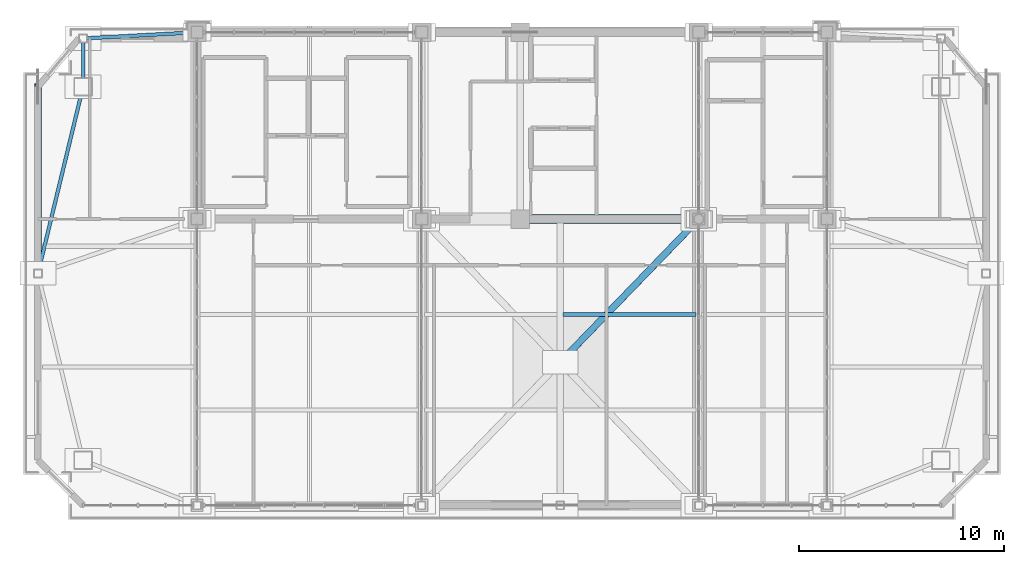
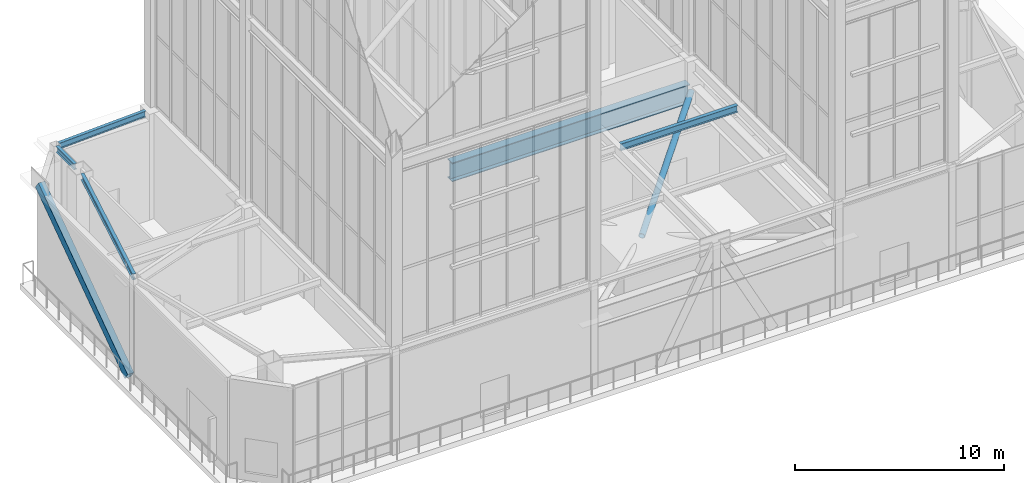
# One storey, part 18 of 135: 5 beams, 2 members.
"""IFC4 building model written with IfcOpenShell, lengths in metres."""

from ifc_helpers import new_model, si_unit, direction, frame, origin, origin_2d, place, context, subcontext, project, spatial, hollow_rectangle, hollow_circle, i_section, extrude, source, transform, mapped, material, material_profile, profile_set, type_object, element, save


model = new_model("IFC4")

# Units and contexts
model_context = context("Model", 3, precision=1e-05, world=origin(), true_north=direction((0.0, 1.0)))
body_context = subcontext(model_context, "Body", "Model", "MODEL_VIEW")
ifc_project = project(units=[si_unit("LENGTHUNIT", "METRE"), si_unit("AREAUNIT", "SQUARE_METRE"), si_unit("VOLUMEUNIT", "CUBIC_METRE"), si_unit("PLANEANGLEUNIT", "RADIAN"), si_unit("MASSUNIT", "GRAM", prefix="KILO")], contexts=[model_context])

# Site, building, storey
site_placement = place(None, origin())
site = spatial("IfcSite", under=ifc_project, at=site_placement, CompositionType="ELEMENT")
building_placement = place(site_placement, origin())
building = spatial("IfcBuilding", under=site, at=building_placement, Name="Giltprow Tower", CompositionType="ELEMENT")
storey_placement = place(building_placement, frame((0.0, 0.0, 352.699951171875)))
storey = spatial("IfcBuildingStorey", under=building, at=storey_placement, Name="L92", CompositionType="ELEMENT", Elevation=352.699951171875)

# Beams
ifc_material_1 = material(Name="Structural steel Q355B", Category="steel")
ifc_material_profile_1 = material_profile(ifc_material_1, i_section(OverallWidth=0.199951171875, OverallDepth=0.39990234375, WebThickness=0.008056640625, FlangeThickness=0.012939453125, at=origin_2d()), Name="HN 400x200x8x13")
ifc_profile_set_1 = profile_set([ifc_material_profile_1], Name="Structural steel Q355B")
beam_type_1 = type_object("IfcBeamType", Name="BM-JOIST-HN400", PredefinedType="JOIST", material=ifc_profile_set_1)
shared_shape_1 = source(origin(), body_context, "Body", "SweptSolid", [
    extrude(i_section(OverallWidth=0.199951171875, OverallDepth=0.39990234375, WebThickness=0.008056640625, FlangeThickness=0.012939453125, at=origin_2d()), origin(), (0.0, 0.0, 1.0), 6.4599609375),
])
beam_1_placement = place(storey_placement, frame((37.695068359375, 32.800048828125, 5.9599609375), z_axis=(1.0, 0.0, 0.0), x_axis=(0.0, 1.0, 0.0)))
element("IfcBeam", 1, at=beam_1_placement, inside=storey, type_object=beam_type_1, Name="L92 Composite Floor Joist 2-3", PredefinedType="JOIST", context=body_context, shape_type="MappedRepresentation", body=[
    mapped(shared_shape_1, transform((0.0, 0.0, 0.0), x_axis=(1.0, 0.0, 0.0), y_axis=(0.0, 1.0, 0.0), z_axis=(0.0, 0.0, 1.0), scale=1.0)),
])
ifc_material_profile_2 = material_profile(ifc_material_1, i_section(OverallWidth=0.175048828125, OverallDepth=0.35009765625, WebThickness=0.007080078125, FlangeThickness=0.010986328125, at=origin_2d()), Name="HN 350x175x7x11")
ifc_profile_set_2 = profile_set([ifc_material_profile_2], Name="Structural steel Q355B")
beam_type_2 = type_object("IfcBeamType", Name="BM-SPAN-HN350", PredefinedType="SPANDREL", material=ifc_profile_set_2)
shared_shape_2 = source(origin(), body_context, "Body", "SweptSolid", [
    extrude(i_section(OverallWidth=0.175048828125, OverallDepth=0.35009765625, WebThickness=0.007080078125, FlangeThickness=0.010986328125, at=origin_2d()), origin(), (0.0, 0.0, 1.0), 1.72998046875),
])
beam_2_placement = place(storey_placement, frame((14.300048828125, 46.06494140625, 5.985107421875), z_axis=(0.0, -1.0, 0.0), x_axis=(1.0, 0.0, 0.0)))
element("IfcBeam", 2, at=beam_2_placement, inside=storey, type_object=beam_type_2, Name="L92 Perimeter Spandrel Beam N_W-MC_NW", PredefinedType="SPANDREL", context=body_context, shape_type="MappedRepresentation", body=[
    mapped(shared_shape_2, transform((0.0, 0.0, 0.0), x_axis=(1.0, 0.0, 0.0), y_axis=(0.0, 1.0, 0.0), z_axis=(0.0, 0.0, 1.0), scale=1.0)),
])
shared_shape_3 = source(origin(), body_context, "Body", "SweptSolid", [
    extrude(i_section(OverallWidth=0.175048828125, OverallDepth=0.35009765625, WebThickness=0.007080078125, FlangeThickness=0.010986328125, at=origin_2d()), origin(), (0.0, 0.0, 1.0), 8.741943359375),
])
beam_3_placement = place(storey_placement, frame((14.197998046875, 43.47705078125, 5.985107421875), z_axis=(-0.235063655766, -0.971979978054, 0.0), x_axis=(0.971979978054, -0.235063655766, 0.0)))
element("IfcBeam", 3, at=beam_3_placement, inside=storey, type_object=beam_type_2, Name="L92 Perimeter Spandrel Beam MC_NW-W_MID", PredefinedType="SPANDREL", context=body_context, shape_type="MappedRepresentation", body=[
    mapped(shared_shape_3, transform((0.0, 0.0, 0.0), x_axis=(1.0, 0.0, 0.0), y_axis=(0.0, 1.0, 0.0), z_axis=(0.0, 0.0, 1.0), scale=1.0)),
])
shared_shape_4 = source(origin(), body_context, "Body", "SweptSolid", [
    extrude(i_section(OverallWidth=0.175048828125, OverallDepth=0.35009765625, WebThickness=0.007080078125, FlangeThickness=0.010986328125, at=origin_2d()), origin(), (0.0, 0.0, 1.0), 4.938232421875),
])
beam_4_placement = place(storey_placement, frame((14.485107421875, 46.260009765625, 5.985107421875), z_axis=(0.998536217559, 0.054087172452, 0.0), x_axis=(-0.054087172452, 0.998536217559, 0.0)))
element("IfcBeam", 4, at=beam_4_placement, inside=storey, type_object=beam_type_2, Name="L92 North Wing Spandrel W", PredefinedType="SPANDREL", context=body_context, shape_type="MappedRepresentation", body=[
    mapped(shared_shape_4, transform((0.0, 0.0, 0.0), x_axis=(1.0, 0.0, 0.0), y_axis=(0.0, 1.0, 0.0), z_axis=(0.0, 0.0, 1.0), scale=1.0)),
])

# Member
ifc_material_2 = material(Name="Structural steel Q420GJC", Category="steel")
ifc_material_profile_3 = material_profile(ifc_material_2, hollow_rectangle(XDim=0.35009765625, YDim=0.5, WallThickness=0.02392578125, at=origin_2d()), Name="RHS 500x350x24")
ifc_profile_set_3 = profile_set([ifc_material_profile_3], Name="Structural steel Q420GJC")
member_type_1 = type_object("IfcMemberType", Name="MBR-MEGA-RHS500", PredefinedType="BRACE", material=ifc_profile_set_3)
shared_shape_5 = source(origin(), body_context, "Body", "SweptSolid", [
    extrude(hollow_rectangle(XDim=0.35009765625, YDim=0.5, WallThickness=0.02392578125, at=origin_2d()), origin(), (0.0, 0.0, 1.0), 10.4296875),
])
member_1_placement = place(storey_placement, frame((12.10009765625, 35.368896484375, 0.0), z_axis=(0.0, 0.817955324375, 0.575281746039), x_axis=(-1.0, 0.0, 0.0)))
element("IfcMember", 5, at=member_1_placement, inside=storey, type_object=member_type_1, Name="L92 Chevron Mega-Brace W-D", PredefinedType="BRACE", context=body_context, shape_type="MappedRepresentation", body=[
    mapped(shared_shape_5, transform((0.0, 0.0, 0.0), x_axis=(1.0, 0.0, 0.0), y_axis=(0.0, 1.0, 0.0), z_axis=(0.0, 0.0, 1.0), scale=1.0)),
])

# Beam
ifc_material_profile_4 = material_profile(ifc_material_2, i_section(OverallWidth=0.449951171875, OverallDepth=1.10009765625, WebThickness=0.02587890625, FlangeThickness=0.0419921875, at=origin_2d()), Name="WH 1100x450x26x42")
ifc_profile_set_4 = profile_set([ifc_material_profile_4], Name="Structural steel Q420GJC")
beam_type_3 = type_object("IfcBeamType", Name="BM-GIRD-WH1100", PredefinedType="BEAM", material=ifc_profile_set_4)
shared_shape_6 = source(origin(), body_context, "Body", "SweptSolid", [
    extrude(i_section(OverallWidth=0.449951171875, OverallDepth=1.10009765625, WebThickness=0.02587890625, FlangeThickness=0.0419921875, at=origin_2d()), origin(), (0.0, 0.0, 1.0), 13.1201171875),
])
beam_5_placement = place(storey_placement, frame((44.110107421875, 37.449951171875, 4.10009765625), z_axis=(-1.0, 0.0, 0.0), x_axis=(0.0, -1.0, 0.0)))
element("IfcBeam", 6, at=beam_5_placement, inside=storey, type_object=beam_type_3, Name="Tuned Mass Damper Gantry Beam 3", PredefinedType="BEAM", context=body_context, shape_type="MappedRepresentation", body=[
    mapped(shared_shape_6, transform((0.0, 0.0, 0.0), x_axis=(1.0, 0.0, 0.0), y_axis=(0.0, 1.0, 0.0), z_axis=(0.0, 0.0, 1.0), scale=1.0)),
])

# Member
ifc_material_profile_5 = material_profile(ifc_material_1, hollow_circle(Radius=0.16259765625, WallThickness=0.01611328125, at=origin_2d()), Name="CHS 325x16")
ifc_profile_set_5 = profile_set([ifc_material_profile_5], Name="Structural steel Q355B")
member_type_2 = type_object("IfcMemberType", Name="MBR-TMD-CHS325", PredefinedType="STRUT", material=ifc_profile_set_5)
shared_shape_7 = source(origin(), body_context, "Body", "SweptSolid", [
    extrude(hollow_circle(Radius=0.16259765625, WallThickness=0.01611328125, at=origin_2d()), origin(), (0.0, 0.0, 1.0), 9.881103515625),
])
member_2_placement = place(storey_placement, frame((44.300048828125, 37.449951171875, 4.050048828125), z_axis=(-0.683130000929, -0.70588617609, -0.187238105723), x_axis=(0.718594843179, -0.69542896931, 0.0)))
element("IfcMember", 7, at=member_2_placement, inside=storey, type_object=member_type_2, Name="Tuned Mass Damper Suspension Strut 3", PredefinedType="STRUT", context=body_context, shape_type="MappedRepresentation", body=[
    mapped(shared_shape_7, transform((0.0, 0.0, 0.0), x_axis=(1.0, 0.0, 0.0), y_axis=(0.0, 1.0, 0.0), z_axis=(0.0, 0.0, 1.0), scale=1.0)),
])

save(model, "model.ifc")
